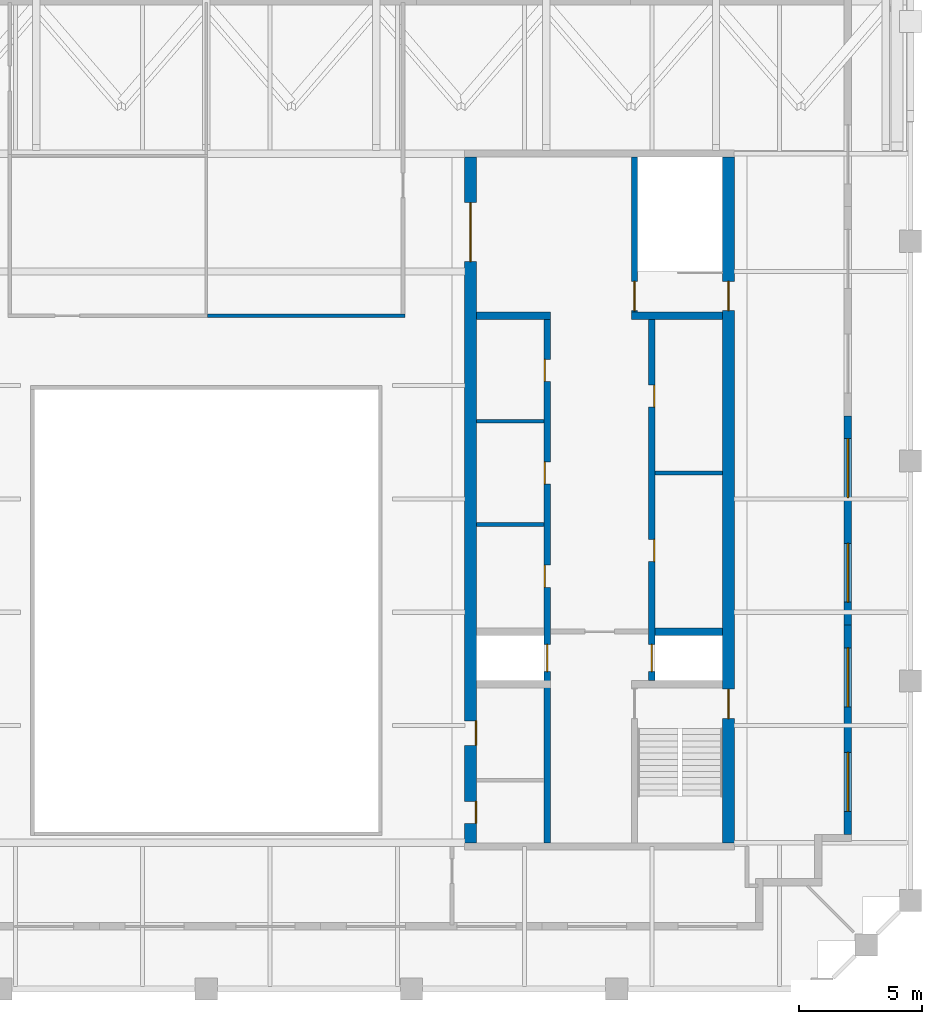
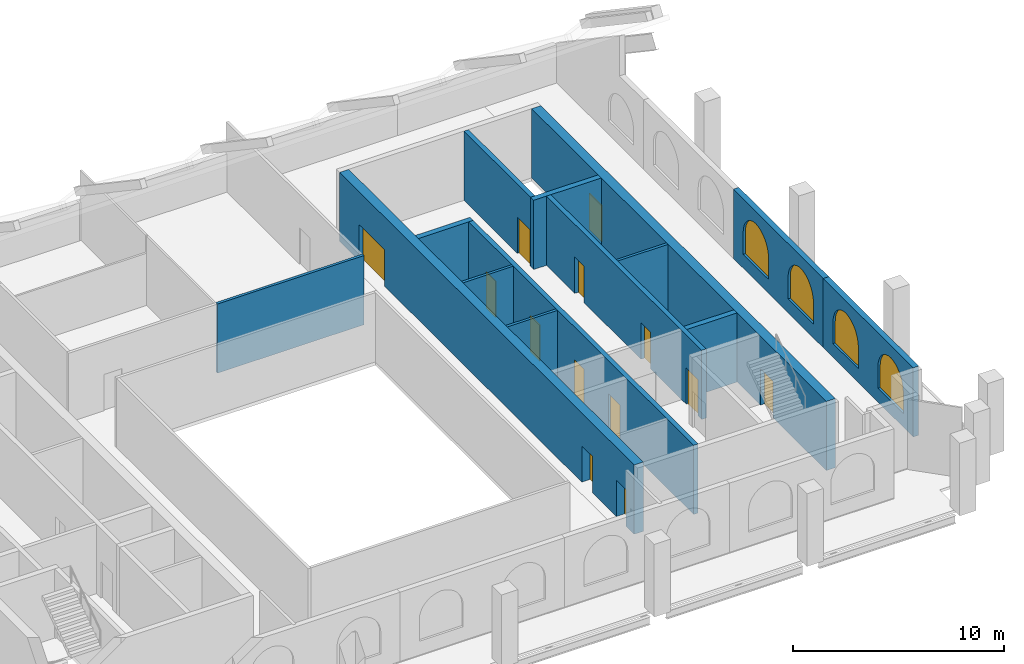
# One storey, part 5 of 7: 14 walls, 13 doors, 4 windows, 17 openings.
"""IFC4 building model written with IfcOpenShell, lengths in metres."""

from ifc_helpers import new_model, si_unit, direction, frame, frame_2d, origin, place, context, subcontext, project, spatial, polyline, rectangle, outline, extrude, material, layer, layer_set, type_object, element, fill, save


model = new_model("IFC4")

# Units and contexts
model_context = context("Model", 3, precision=1e-05, world=origin(), true_north=direction((0.0, 1.0)))
body_context = subcontext(model_context, "Body", "Model", "MODEL_VIEW")
ifc_project = project(units=[si_unit("LENGTHUNIT", "METRE"), si_unit("AREAUNIT", "SQUARE_METRE"), si_unit("VOLUMEUNIT", "CUBIC_METRE"), si_unit("PLANEANGLEUNIT", "RADIAN"), si_unit("MASSUNIT", "GRAM", prefix="KILO")], contexts=[model_context])

# Site, building, storey
site_placement = place(None, origin())
site = spatial("IfcSite", under=ifc_project, at=site_placement, CompositionType="ELEMENT")
building_placement = place(site_placement, origin())
building = spatial("IfcBuilding", under=site, at=building_placement, Name="Ogive Exchange Tower", CompositionType="ELEMENT")
storey_placement = place(building_placement, frame((0.0, 0.0, 385.800048828125)))
storey = spatial("IfcBuildingStorey", under=building, at=storey_placement, Name="C05", CompositionType="ELEMENT", Elevation=385.800048828125)

# Walls
ifc_material_1 = material(Name="Gypsum board partition")
ifc_layer_1 = layer(ifc_material_1, 0.14990234375)
ifc_layer_set_1 = layer_set([ifc_layer_1], Name="Core room partition 150 gypsum")
wall_type_1 = type_object("IfcWallType", Name="Core room partition 150 gypsum", PredefinedType="PARTITIONING", material=ifc_layer_set_1)
for number, where, z_axis, x_axis, name in (
    (1, (18.25, 12.60009765625, 0.0), (0.0, 0.0, 1.0), (1.0, 0.0, 0.0), "E row A bay partition 1-1"),
    (2, (11.0, 10.5, 0.0), (0.0, 0.0, 1.0), (1.0, 0.0, 0.0), "E row B bay partition 1-1"),
    (3, (11.0, 14.699951171875, 0.0), (0.0, 0.0, 1.0), (1.0, 0.0, 0.0), "E row B bay partition 1-2"),
):
    element("IfcWall", number, at=place(storey_placement, frame(where, z_axis=z_axis, x_axis=x_axis)), inside=storey, type_object=wall_type_1, Name=name, PredefinedType="PARTITIONING", context=body_context, shape_type="SweptSolid", body=[
        extrude(rectangle(XDim=2.75, YDim=0.14990234375, at=frame_2d((1.375, 0.0))), origin(), (0.0, 0.0, 1.0), 4.0),
    ])
ifc_layer_2 = layer(ifc_material_1, 0.300048828125)
ifc_layer_set_2 = layer_set([ifc_layer_2], Name="Core room partition 300 gypsum")
wall_type_2 = type_object("IfcWallType", Name="Core room partition 300 gypsum", PredefinedType="PARTITIONING", material=ifc_layer_set_2)
wall_1_placement = place(storey_placement, frame((11.0, 19.0, 0.0), z_axis=(0.0, 0.0, 1.0), x_axis=(1.0, 0.0, 0.0)))
element("IfcWall", 4, at=wall_1_placement, inside=storey, type_object=wall_type_2, Name="E row B room end wall 7", PredefinedType="PARTITIONING", context=body_context, shape_type="SweptSolid", body=[
    extrude(rectangle(XDim=3.0, YDim=0.300048828125, at=frame_2d((1.5, 0.0))), origin(), (0.0, 0.0, 1.0), 4.0),
])
ifc_material_2 = material(Name="Fire partition EI 60 150")
ifc_layer_3 = layer(ifc_material_2, 0.14990234375)
ifc_layer_set_3 = layer_set([ifc_layer_3], Name="Fire partition EI 60 150")
wall_type_3 = type_object("IfcWallType", Name="Fire partition EI 60 150", PredefinedType="PARTITIONING", material=ifc_layer_set_3)
wall_2_placement = place(storey_placement, frame((0.050048828125, 19.0, 0.0), z_axis=(0.0, 0.0, 1.0), x_axis=(1.0, 0.0, 0.0)))
element("IfcWall", 5, at=wall_2_placement, inside=storey, type_object=wall_type_3, Name="C05-PWL-007", PredefinedType="PARTITIONING", context=body_context, shape_type="SweptSolid", body=[
    extrude(rectangle(XDim=8.02490234375, YDim=0.14990234375, at=frame_2d((4.012451171875, 0.0))), origin(), (0.0, 0.0, 1.0), 4.0),
])

# Wall, opening, door
ifc_material_3 = material(Name="Concrete C70/85", Category="concrete")
ifc_layer_4 = layer(ifc_material_3, 0.25)
ifc_layer_set_4 = layer_set([ifc_layer_4], Name="RC core wall 250 C70/85")
wall_type_4 = type_object("IfcWallType", Name="RC core wall 250 C70/85", PredefinedType="SHEAR", material=ifc_layer_set_4)
wall_3_placement = place(storey_placement, frame((17.425048828125, 19.14990234375, 0.0), z_axis=(0.0, 0.0, 1.0), x_axis=(0.0, 1.0, 0.0)))
wall_3 = element("IfcWall", 6, at=wall_3_placement, inside=storey, type_object=wall_type_4, Name="E stair N front wall", PredefinedType="SHEAR", context=body_context, shape_type="SweptSolid", body=[
    extrude(rectangle(XDim=6.300048828125, YDim=0.25, at=frame_2d((3.14990234375, 0.0))), origin(), (0.0, 0.0, 1.0), 4.0),
])
opening_1_placement = place(wall_3_placement, frame((0.050048828125, 0.0, 0.0)))
opening_1 = element("IfcOpeningElement", 7, at=opening_1_placement, cuts=wall_3, Name="Opening C05-C27", PredefinedType="OPENING", context=body_context, shape_type="SweptSolid", body=[
    extrude(rectangle(XDim=1.199951171875, YDim=2.10009765625, at=frame_2d((0.60009765625, 1.050048828125))), frame((0.0, 0.135009765625, 0.0), z_axis=(0.0, -1.0, 0.0), x_axis=(1.0, 0.0, 0.0)), (0.0, 0.0, 1.0), 0.27001953125),
])
ifc_material_4 = material(Name="Steel fire door", Category="steel")
door_type_1 = type_object("IfcDoorType", Name="Stair door FD90 1200 x 2100", OperationType="NOTDEFINED", PredefinedType="DOOR", material=ifc_material_4)
door_1_placement = place(opening_1_placement, frame((1.199951171875, 0.0, 0.0), z_axis=(0.0, 0.0, 1.0), x_axis=(-1.0, 0.0, 0.0)))
door_1 = element("IfcDoor", 8, at=door_1_placement, inside=storey, type_object=door_type_1, Name="Stair door", ObjectType="CD5", OperationType="SINGLE_SWING_LEFT", OverallHeight=2.10009765625, OverallWidth=1.199951171875, PredefinedType="DOOR", context=body_context, shape_type="SweptSolid", body=[
    extrude(rectangle(XDim=1.199951171875, YDim=2.10009765625, at=frame_2d((0.60009765625, 1.050048828125))), frame((0.0, 0.02490234375, 0.0), z_axis=(0.0, -1.0, 0.0), x_axis=(1.0, 0.0, 0.0)), (0.0, 0.0, 1.0), 0.050048828125),
])
fill(opening_1, door_1)

# Wall, openings, doors
wall_4_placement = place(storey_placement, frame((18.125, 4.14990234375, 0.0), z_axis=(0.0, 0.0, 1.0), x_axis=(0.0, 1.0, 0.0)))
wall_4 = element("IfcWall", 9, at=wall_4_placement, inside=storey, type_object=wall_type_4, Name="E row A front wall", PredefinedType="SHEAR", context=body_context, shape_type="SweptSolid", body=[
    extrude(rectangle(XDim=14.7001953125, YDim=0.25, at=frame_2d((7.35009765625, 0.0))), origin(), (0.0, 0.0, 1.0), 4.0),
])
opening_2_placement = place(wall_4_placement, frame((4.846435546875, 0.0, 0.0)))
opening_2 = element("IfcOpeningElement", 10, at=opening_2_placement, cuts=wall_4, Name="Opening C05-C16", PredefinedType="OPENING", context=body_context, shape_type="SweptSolid", body=[
    extrude(rectangle(XDim=0.89990234375, YDim=2.10009765625, at=frame_2d((0.449951171875, 1.050048828125))), frame((0.0, 0.135009765625, 0.0), z_axis=(0.0, -1.0, 0.0), x_axis=(1.0, 0.0, 0.0)), (0.0, 0.0, 1.0), 0.27001953125),
])
opening_3_placement = place(wall_4_placement, frame((11.125, 0.0, 0.0)))
opening_3 = element("IfcOpeningElement", 11, at=opening_3_placement, cuts=wall_4, Name="Opening C05-C17", PredefinedType="OPENING", context=body_context, shape_type="SweptSolid", body=[
    extrude(rectangle(XDim=0.89990234375, YDim=2.10009765625, at=frame_2d((0.449951171875, 1.050048828125))), frame((0.0, 0.135009765625, 0.0), z_axis=(0.0, -1.0, 0.0), x_axis=(1.0, 0.0, 0.0)), (0.0, 0.0, 1.0), 0.27001953125),
])
opening_4_placement = place(wall_4_placement, frame((0.371337890625, 0.0, 0.0)))
opening_4 = element("IfcOpeningElement", 12, at=opening_4_placement, cuts=wall_4, Name="Opening C05-C18", PredefinedType="OPENING", context=body_context, shape_type="SweptSolid", body=[
    extrude(rectangle(XDim=1.10009765625, YDim=2.10009765625, at=frame_2d((0.550048828125, 1.050048828125))), frame((0.0, 0.135009765625, 0.0), z_axis=(0.0, -1.0, 0.0), x_axis=(1.0, 0.0, 0.0)), (0.0, 0.0, 1.0), 0.27001953125),
])
ifc_material_5 = material(Name="Timber fire door", Category="wood")
door_type_2 = type_object("IfcDoorType", Name="Core room door FD30S 900 x 2100", OperationType="NOTDEFINED", PredefinedType="DOOR", material=ifc_material_5)
door_2_placement = place(opening_2_placement, frame((0.89990234375, -0.2001953125, 0.0), z_axis=(0.0, 0.0, 1.0), x_axis=(-1.0, 0.0, 0.0)))
door_2 = element("IfcDoor", 13, at=door_2_placement, inside=storey, type_object=door_type_2, Name="Core room door", ObjectType="CD6", OperationType="SINGLE_SWING_LEFT", OverallHeight=2.10009765625, OverallWidth=0.89990234375, PredefinedType="DOOR", context=body_context, shape_type="SweptSolid", body=[
    extrude(rectangle(XDim=0.89990234375, YDim=2.10009765625, at=frame_2d((0.449951171875, 1.050048828125))), frame((0.0, -0.0751953125, 0.0), z_axis=(0.0, -1.0, 0.0), x_axis=(1.0, 0.0, 0.0)), (0.0, 0.0, 1.0), 0.050048828125),
])
fill(opening_2, door_2)
ifc_material_6 = material(Name="Stainless steel", Category="steel")
door_type_3 = type_object("IfcDoorType", Name="Lift landing door FD90 1100 x 2100", OperationType="SLIDING_TO_LEFT", PredefinedType="DOOR", material=ifc_material_6)
door_3_placement = place(opening_4_placement, origin())
door_3 = element("IfcDoor", 14, at=door_3_placement, inside=storey, type_object=door_type_3, Name="Lift landing door FF2", ObjectType="LD", OperationType="SLIDING_TO_LEFT", OverallHeight=2.10009765625, OverallWidth=1.10009765625, PredefinedType="DOOR", context=body_context, shape_type="SweptSolid", body=[
    extrude(rectangle(XDim=1.10009765625, YDim=2.10009765625, at=frame_2d((0.550048828125, 1.050048828125))), frame((0.0, 0.02490234375, 0.0), z_axis=(0.0, -1.0, 0.0), x_axis=(1.0, 0.0, 0.0)), (0.0, 0.0, 1.0), 0.050048828125),
])
fill(opening_4, door_3)
door_type_4 = type_object("IfcDoorType", Name="Riser door FD60 900 x 2100", OperationType="NOTDEFINED", PredefinedType="DOOR", material=ifc_material_4)
door_4_placement = place(opening_3_placement, frame((0.89990234375, -0.2001953125, 0.0), z_axis=(0.0, 0.0, 1.0), x_axis=(-1.0, 0.0, 0.0)))
door_4 = element("IfcDoor", 15, at=door_4_placement, inside=storey, type_object=door_type_4, Name="Riser door", ObjectType="CD2", OperationType="SINGLE_SWING_LEFT", OverallHeight=2.10009765625, OverallWidth=0.89990234375, PredefinedType="DOOR", context=body_context, shape_type="SweptSolid", body=[
    extrude(rectangle(XDim=0.89990234375, YDim=2.10009765625, at=frame_2d((0.449951171875, 1.050048828125))), frame((0.0, -0.0751953125, 0.0), z_axis=(0.0, -1.0, 0.0), x_axis=(1.0, 0.0, 0.0)), (0.0, 0.0, 1.0), 0.050048828125),
])
fill(opening_3, door_4)

wall_5_placement = place(storey_placement, frame((13.875, -2.449951171875, 0.0), z_axis=(0.0, 0.0, 1.0), x_axis=(0.0, 1.0, 0.0)))
wall_5 = element("IfcWall", 16, at=wall_5_placement, inside=storey, type_object=wall_type_4, Name="E row B front wall", PredefinedType="SHEAR", context=body_context, shape_type="SweptSolid", body=[
    extrude(rectangle(XDim=21.300048828125, YDim=0.25, at=frame_2d((10.64990234375, 0.0))), origin(), (0.0, 0.0, 1.0), 4.0),
])
opening_5_placement = place(wall_5_placement, frame((10.396484375, 0.0, 0.0)))
opening_5 = element("IfcOpeningElement", 17, at=opening_5_placement, cuts=wall_5, Name="Opening C05-C19", PredefinedType="OPENING", context=body_context, shape_type="SweptSolid", body=[
    extrude(rectangle(XDim=0.89990234375, YDim=2.10009765625, at=frame_2d((0.449951171875, 1.050048828125))), frame((0.0, 0.135009765625, 0.0), z_axis=(0.0, -1.0, 0.0), x_axis=(1.0, 0.0, 0.0)), (0.0, 0.0, 1.0), 0.27001953125),
])
opening_6_placement = place(wall_5_placement, frame((14.60009765625, 0.0, 0.0)))
opening_6 = element("IfcOpeningElement", 18, at=opening_6_placement, cuts=wall_5, Name="Opening C05-C20", PredefinedType="OPENING", context=body_context, shape_type="SweptSolid", body=[
    extrude(rectangle(XDim=0.89990234375, YDim=2.10009765625, at=frame_2d((0.449951171875, 1.050048828125))), frame((0.0, 0.135009765625, 0.0), z_axis=(0.0, -1.0, 0.0), x_axis=(1.0, 0.0, 0.0)), (0.0, 0.0, 1.0), 0.27001953125),
])
opening_7_placement = place(wall_5_placement, frame((18.77490234375, 0.0, 0.0)))
opening_7 = element("IfcOpeningElement", 19, at=opening_7_placement, cuts=wall_5, Name="Opening C05-C21", PredefinedType="OPENING", context=body_context, shape_type="SweptSolid", body=[
    extrude(rectangle(XDim=0.89990234375, YDim=2.10009765625, at=frame_2d((0.449951171875, 1.050048828125))), frame((0.0, 0.135009765625, 0.0), z_axis=(0.0, -1.0, 0.0), x_axis=(1.0, 0.0, 0.0)), (0.0, 0.0, 1.0), 0.27001953125),
])
opening_8_placement = place(wall_5_placement, frame((6.971435546875, 0.0, 0.0)))
opening_8 = element("IfcOpeningElement", 20, at=opening_8_placement, cuts=wall_5, Name="Opening C05-C22", PredefinedType="OPENING", context=body_context, shape_type="SweptSolid", body=[
    extrude(rectangle(XDim=1.10009765625, YDim=2.10009765625, at=frame_2d((0.550048828125, 1.050048828125))), frame((0.0, 0.135009765625, 0.0), z_axis=(0.0, -1.0, 0.0), x_axis=(1.0, 0.0, 0.0)), (0.0, 0.0, 1.0), 0.27001953125),
])
door_5_placement = place(opening_7_placement, origin())
door_5 = element("IfcDoor", 21, at=door_5_placement, inside=storey, type_object=door_type_2, Name="Core room door", ObjectType="CD6", OperationType="SINGLE_SWING_RIGHT", OverallHeight=2.10009765625, OverallWidth=0.89990234375, PredefinedType="DOOR", context=body_context, shape_type="SweptSolid", body=[
    extrude(rectangle(XDim=0.89990234375, YDim=2.10009765625, at=frame_2d((0.449951171875, 1.050048828125))), frame((0.0, 0.125, 0.0), z_axis=(0.0, -1.0, 0.0), x_axis=(1.0, 0.0, 0.0)), (0.0, 0.0, 1.0), 0.050048828125),
])
fill(opening_7, door_5)
door_6_placement = place(opening_8_placement, origin())
door_6 = element("IfcDoor", 22, at=door_6_placement, inside=storey, type_object=door_type_3, Name="Lift landing door SV2", ObjectType="LD", OperationType="SLIDING_TO_LEFT", OverallHeight=2.10009765625, OverallWidth=1.10009765625, PredefinedType="DOOR", context=body_context, shape_type="SweptSolid", body=[
    extrude(rectangle(XDim=1.10009765625, YDim=2.10009765625, at=frame_2d((0.550048828125, 1.050048828125))), frame((0.0, 0.02490234375, 0.0), z_axis=(0.0, -1.0, 0.0), x_axis=(1.0, 0.0, 0.0)), (0.0, 0.0, 1.0), 0.050048828125),
])
fill(opening_8, door_6)
door_7_placement = place(opening_5_placement, origin())
door_7 = element("IfcDoor", 23, at=door_7_placement, inside=storey, type_object=door_type_4, Name="Riser door", ObjectType="CD2", OperationType="SINGLE_SWING_LEFT", OverallHeight=2.10009765625, OverallWidth=0.89990234375, PredefinedType="DOOR", context=body_context, shape_type="SweptSolid", body=[
    extrude(rectangle(XDim=0.89990234375, YDim=2.10009765625, at=frame_2d((0.449951171875, 1.050048828125))), frame((0.0, 0.125, 0.0), z_axis=(0.0, -1.0, 0.0), x_axis=(1.0, 0.0, 0.0)), (0.0, 0.0, 1.0), 0.050048828125),
])
fill(opening_5, door_7)
door_8_placement = place(opening_6_placement, origin())
door_8 = element("IfcDoor", 24, at=door_8_placement, inside=storey, type_object=door_type_4, Name="Riser door", ObjectType="CD2", OperationType="SINGLE_SWING_RIGHT", OverallHeight=2.10009765625, OverallWidth=0.89990234375, PredefinedType="DOOR", context=body_context, shape_type="SweptSolid", body=[
    extrude(rectangle(XDim=0.89990234375, YDim=2.10009765625, at=frame_2d((0.449951171875, 1.050048828125))), frame((0.0, 0.125, 0.0), z_axis=(0.0, -1.0, 0.0), x_axis=(1.0, 0.0, 0.0)), (0.0, 0.0, 1.0), 0.050048828125),
])
fill(opening_6, door_8)

# Walls
ifc_layer_5 = layer(ifc_material_3, 0.300048828125)
ifc_layer_set_5 = layer_set([ifc_layer_5], Name="RC core wall 300 C70/85")
wall_type_5 = type_object("IfcWallType", Name="RC core wall 300 C70/85", PredefinedType="SHEAR", material=ifc_layer_set_5)
wall_6_placement = place(storey_placement, frame((17.300048828125, 19.0, 0.0), z_axis=(0.0, 0.0, 1.0), x_axis=(1.0, 0.0, 0.0)))
element("IfcWall", 25, at=wall_6_placement, inside=storey, type_object=wall_type_5, Name="E stair N south wall", PredefinedType="SHEAR", context=body_context, shape_type="SweptSolid", body=[
    extrude(rectangle(XDim=3.699951171875, YDim=0.300048828125, at=frame_2d((1.85009765625, 0.0))), origin(), (0.0, 0.0, 1.0), 4.0),
])
wall_7_placement = place(storey_placement, frame((18.25, 6.142822265625, 0.0), z_axis=(0.0, 0.0, 1.0), x_axis=(1.0, 0.0, 0.0)))
element("IfcWall", 26, at=wall_7_placement, inside=storey, type_object=wall_type_5, Name="E row A divider 1", PredefinedType="SHEAR", context=body_context, shape_type="SweptSolid", body=[
    extrude(rectangle(XDim=2.75, YDim=0.300048828125, at=frame_2d((1.375, 0.0))), origin(), (0.0, 0.0, 1.0), 4.0),
])

# Wall, openings, doors
ifc_layer_6 = layer(ifc_material_3, 0.5)
ifc_layer_set_6 = layer_set([ifc_layer_6], Name="RC core wall 500 C70/85")
wall_type_6 = type_object("IfcWallType", Name="RC core wall 500 C70/85", PredefinedType="SHEAR", material=ifc_layer_set_6)
wall_8_placement = place(storey_placement, frame((21.25, -2.449951171875, 0.0), z_axis=(0.0, 0.0, 1.0), x_axis=(0.0, 1.0, 0.0)))
wall_8 = element("IfcWall", 27, at=wall_8_placement, inside=storey, type_object=wall_type_6, Name="E outer wall", PredefinedType="SHEAR", context=body_context, shape_type="SweptSolid", body=[
    extrude(rectangle(XDim=27.89990234375, YDim=0.5, at=frame_2d((13.949951171875, 0.0))), origin(), (0.0, 0.0, 1.0), 4.0),
])
opening_9_placement = place(wall_8_placement, frame((5.050048828125, 0.0, 0.0)))
opening_9 = element("IfcOpeningElement", 28, at=opening_9_placement, cuts=wall_8, Name="Opening C05-C26", PredefinedType="OPENING", context=body_context, shape_type="SweptSolid", body=[
    extrude(rectangle(XDim=1.199951171875, YDim=2.10009765625, at=frame_2d((0.60009765625, 1.050048828125))), frame((0.0, 0.260009765625, 0.0), z_axis=(0.0, -1.0, 0.0), x_axis=(1.0, 0.0, 0.0)), (0.0, 0.0, 1.0), 0.52001953125),
])
opening_10_placement = place(wall_8_placement, frame((21.64990234375, 0.0, 0.0)))
opening_10 = element("IfcOpeningElement", 29, at=opening_10_placement, cuts=wall_8, Name="Opening C05-C28", PredefinedType="OPENING", context=body_context, shape_type="SweptSolid", body=[
    extrude(rectangle(XDim=1.199951171875, YDim=2.10009765625, at=frame_2d((0.60009765625, 1.050048828125))), frame((0.0, 0.260009765625, 0.0), z_axis=(0.0, -1.0, 0.0), x_axis=(1.0, 0.0, 0.0)), (0.0, 0.0, 1.0), 0.52001953125),
])
door_9_placement = place(opening_9_placement, frame((1.199951171875, 0.0, 0.0), z_axis=(0.0, 0.0, 1.0), x_axis=(-1.0, 0.0, 0.0)))
door_9 = element("IfcDoor", 30, at=door_9_placement, inside=storey, type_object=door_type_1, Name="Stair door", ObjectType="CD5", OperationType="SINGLE_SWING_RIGHT", OverallHeight=2.10009765625, OverallWidth=1.199951171875, PredefinedType="DOOR", context=body_context, shape_type="SweptSolid", body=[
    extrude(rectangle(XDim=1.199951171875, YDim=2.10009765625, at=frame_2d((0.60009765625, 1.050048828125))), frame((0.0, 0.02490234375, 0.0), z_axis=(0.0, -1.0, 0.0), x_axis=(1.0, 0.0, 0.0)), (0.0, 0.0, 1.0), 0.050048828125),
])
fill(opening_9, door_9)
door_10_placement = place(opening_10_placement, frame((1.199951171875, 0.0, 0.0), z_axis=(0.0, 0.0, 1.0), x_axis=(-1.0, 0.0, 0.0)))
door_10 = element("IfcDoor", 31, at=door_10_placement, inside=storey, type_object=door_type_1, Name="Stair door", ObjectType="CD5", OperationType="SINGLE_SWING_LEFT", OverallHeight=2.10009765625, OverallWidth=1.199951171875, PredefinedType="DOOR", context=body_context, shape_type="SweptSolid", body=[
    extrude(rectangle(XDim=1.199951171875, YDim=2.10009765625, at=frame_2d((0.60009765625, 1.050048828125))), frame((0.0, 0.02490234375, 0.0), z_axis=(0.0, -1.0, 0.0), x_axis=(1.0, 0.0, 0.0)), (0.0, 0.0, 1.0), 0.050048828125),
])
fill(opening_10, door_10)

wall_9_placement = place(storey_placement, frame((10.75, -2.449951171875, 0.0), z_axis=(0.0, 0.0, 1.0), x_axis=(0.0, 1.0, 0.0)))
wall_9 = element("IfcWall", 32, at=wall_9_placement, inside=storey, type_object=wall_type_6, Name="E inner wall", PredefinedType="SHEAR", context=body_context, shape_type="SweptSolid", body=[
    extrude(rectangle(XDim=27.89990234375, YDim=0.5, at=frame_2d((13.949951171875, 0.0))), origin(), (0.0, 0.0, 1.0), 4.0),
])
opening_11_placement = place(wall_9_placement, frame((23.64990234375, 0.0, 0.0)))
opening_11 = element("IfcOpeningElement", 33, at=opening_11_placement, cuts=wall_9, Name="Opening C05-C24", PredefinedType="OPENING", context=body_context, shape_type="SweptSolid", body=[
    extrude(rectangle(XDim=2.39990234375, YDim=2.10009765625, at=frame_2d((1.199951171875, 1.050048828125))), frame((0.0, 0.260009765625, 0.0), z_axis=(0.0, -1.0, 0.0), x_axis=(1.0, 0.0, 0.0)), (0.0, 0.0, 1.0), 0.52001953125),
])
opening_12_placement = place(wall_9_placement, frame((0.78759765625, 0.0, 0.0)))
opening_12 = element("IfcOpeningElement", 34, at=opening_12_placement, cuts=wall_9, Name="Opening C05-C29", PredefinedType="OPENING", context=body_context, shape_type="SweptSolid", body=[
    extrude(rectangle(XDim=0.89990234375, YDim=2.10009765625, at=frame_2d((0.449951171875, 1.050048828125))), frame((0.0, 0.260009765625, 0.0), z_axis=(0.0, -1.0, 0.0), x_axis=(1.0, 0.0, 0.0)), (0.0, 0.0, 1.0), 0.52001953125),
])
opening_13_placement = place(wall_9_placement, frame((3.96240234375, 0.0, 0.0)))
opening_13 = element("IfcOpeningElement", 35, at=opening_13_placement, cuts=wall_9, Name="Opening C05-C30", PredefinedType="OPENING", context=body_context, shape_type="SweptSolid", body=[
    extrude(rectangle(XDim=1.0, YDim=2.10009765625, at=frame_2d((0.5, 1.050048828125))), frame((0.0, 0.260009765625, 0.0), z_axis=(0.0, -1.0, 0.0), x_axis=(1.0, 0.0, 0.0)), (0.0, 0.0, 1.0), 0.52001953125),
])
door_type_5 = type_object("IfcDoorType", Name="Accessible WC door FD30S 1000 x 2100", OperationType="NOTDEFINED", PredefinedType="DOOR", material=ifc_material_5)
door_11_placement = place(opening_13_placement, origin())
door_11 = element("IfcDoor", 36, at=door_11_placement, inside=storey, type_object=door_type_5, Name="Accessible WC door", ObjectType="CD7", OperationType="SINGLE_SWING_LEFT", OverallHeight=2.10009765625, OverallWidth=1.0, PredefinedType="DOOR", context=body_context, shape_type="SweptSolid", body=[
    extrude(rectangle(XDim=1.0, YDim=2.10009765625, at=frame_2d((0.5, 1.050048828125))), frame((0.0, -0.2001953125, 0.0), z_axis=(0.0, -1.0, 0.0), x_axis=(1.0, 0.0, 0.0)), (0.0, 0.0, 1.0), 0.050048828125),
])
fill(opening_13, door_11)
door_12_placement = place(opening_12_placement, origin())
door_12 = element("IfcDoor", 37, at=door_12_placement, inside=storey, type_object=door_type_2, Name="Core room door", ObjectType="CD6", OperationType="SINGLE_SWING_RIGHT", OverallHeight=2.10009765625, OverallWidth=0.89990234375, PredefinedType="DOOR", context=body_context, shape_type="SweptSolid", body=[
    extrude(rectangle(XDim=0.89990234375, YDim=2.10009765625, at=frame_2d((0.449951171875, 1.050048828125))), frame((0.0, -0.2001953125, 0.0), z_axis=(0.0, -1.0, 0.0), x_axis=(1.0, 0.0, 0.0)), (0.0, 0.0, 1.0), 0.050048828125),
])
fill(opening_12, door_12)
ifc_material_7 = material(Name="Glazed steel fire door", Category="steel")
door_type_6 = type_object("IfcDoorType", Name="Lift lobby double door FD60 2400 x 2100", OperationType="DOUBLE_DOOR_SINGLE_SWING", PredefinedType="DOOR", material=ifc_material_7)
door_13_placement = place(opening_11_placement, origin())
door_13 = element("IfcDoor", 38, at=door_13_placement, inside=storey, type_object=door_type_6, Name="Lift lobby double door", ObjectType="CD4", OperationType="DOUBLE_DOOR_SINGLE_SWING", OverallHeight=2.10009765625, OverallWidth=2.39990234375, PredefinedType="DOOR", context=body_context, shape_type="SweptSolid", body=[
    extrude(rectangle(XDim=2.39990234375, YDim=2.10009765625, at=frame_2d((1.199951171875, 1.050048828125))), frame((0.0, 0.02490234375, 0.0), z_axis=(0.0, -1.0, 0.0), x_axis=(1.0, 0.0, 0.0)), (0.0, 0.0, 1.0), 0.050048828125),
])
fill(opening_11, door_13)

# Wall, openings, windows
ifc_material_8 = material(Name="Precast concrete C40/50", Category="concrete")
ifc_layer_7 = layer(ifc_material_8, 0.300048828125)
ifc_layer_set_7 = layer_set([ifc_layer_7], Name="Zinc-clad crown wall 300")
wall_type_7 = type_object("IfcWallType", Name="Zinc-clad crown wall 300", PredefinedType="STANDARD", material=ifc_layer_set_7)
wall_10_placement = place(storey_placement, frame((26.10009765625, -2.10009765625, 0.0), z_axis=(0.0, 0.0, 1.0), x_axis=(0.0, 1.0, 0.0)))
wall_10 = element("IfcWall", 39, at=wall_10_placement, inside=storey, type_object=wall_type_7, Name="Crown wall 13", PredefinedType="STANDARD", context=body_context, shape_type="SweptSolid", body=[
    extrude(rectangle(XDim=8.511962890625, YDim=0.300048828125, at=frame_2d((4.255859375, 0.0))), origin(), (0.0, 0.0, 1.0), 4.0),
])
opening_14_placement = place(wall_10_placement, frame((0.927978515625, 0.0, 0.800048828125)))
opening_14 = element("IfcOpeningElement", 40, at=opening_14_placement, cuts=wall_10, Name="Opening WC25", PredefinedType="OPENING", context=body_context, shape_type="SweptSolid", body=[
    extrude(outline(polyline([(0.0, 0.0), (2.39990234375, 0.0), (2.39990234375, 1.25), (2.377197265625, 1.48779296875), (2.3095703125, 1.717041015625), (2.19970703125, 1.928955078125), (2.05126953125, 2.116455078125), (1.8701171875, 2.272216796875), (1.662841796875, 2.390625), (1.4365234375, 2.467529296875), (1.199951171875, 2.5), (0.96337890625, 2.467529296875), (0.737060546875, 2.390625), (0.52978515625, 2.272216796875), (0.3486328125, 2.116455078125), (0.2001953125, 1.928955078125), (0.09033203125, 1.717041015625), (0.022705078125, 1.48779296875), (0.0, 1.25), (0.0, 0.0)])), frame((0.0, 0.159912109375, 0.0), z_axis=(0.0, -1.0, 0.0), x_axis=(1.0, 0.0, 0.0)), (0.0, 0.0, 1.0), 0.320068359375),
])
opening_15_placement = place(wall_10_placement, frame((5.183837890625, 0.0, 0.800048828125)))
opening_15 = element("IfcOpeningElement", 41, at=opening_15_placement, cuts=wall_10, Name="Opening WC25", PredefinedType="OPENING", context=body_context, shape_type="SweptSolid", body=[
    extrude(outline(polyline([(0.0, 0.0), (2.39990234375, 0.0), (2.39990234375, 1.25), (2.377197265625, 1.48779296875), (2.3095703125, 1.717041015625), (2.19970703125, 1.928955078125), (2.05126953125, 2.116455078125), (1.8701171875, 2.272216796875), (1.662841796875, 2.390625), (1.4365234375, 2.467529296875), (1.199951171875, 2.5), (0.96337890625, 2.467529296875), (0.737060546875, 2.390625), (0.52978515625, 2.272216796875), (0.3486328125, 2.116455078125), (0.2001953125, 1.928955078125), (0.09033203125, 1.717041015625), (0.022705078125, 1.48779296875), (0.0, 1.25), (0.0, 0.0)])), frame((0.0, 0.159912109375, 0.0), z_axis=(0.0, -1.0, 0.0), x_axis=(1.0, 0.0, 0.0)), (0.0, 0.0, 1.0), 0.320068359375),
])
ifc_material_9 = material(Name="Clear glass in bronze frame", Category="glass")
window_type = type_object("IfcWindowType", Name="Crown lancet window 2400 x 2500", PartitioningType="DOUBLE_PANEL_VERTICAL", PredefinedType="WINDOW", material=ifc_material_9)
window_1_placement = place(opening_14_placement, origin())
window_1 = element("IfcWindow", 42, at=window_1_placement, inside=storey, type_object=window_type, Name="Crown lancet 13.1", OverallHeight=2.5, OverallWidth=2.39990234375, PartitioningType="DOUBLE_PANEL_VERTICAL", PredefinedType="WINDOW", context=body_context, shape_type="SweptSolid", body=[
    extrude(outline(polyline([(0.0, 0.0), (2.39990234375, 0.0), (2.39990234375, 1.25), (2.377197265625, 1.48779296875), (2.3095703125, 1.717041015625), (2.19970703125, 1.928955078125), (2.05126953125, 2.116455078125), (1.8701171875, 2.272216796875), (1.662841796875, 2.390625), (1.4365234375, 2.467529296875), (1.199951171875, 2.5), (0.96337890625, 2.467529296875), (0.737060546875, 2.390625), (0.52978515625, 2.272216796875), (0.3486328125, 2.116455078125), (0.2001953125, 1.928955078125), (0.09033203125, 1.717041015625), (0.022705078125, 1.48779296875), (0.0, 1.25), (0.0, 0.0)])), frame((0.0, 0.030029296875, 0.0), z_axis=(0.0, -1.0, 0.0), x_axis=(1.0, 0.0, 0.0)), (0.0, 0.0, 1.0), 0.06005859375),
])
fill(opening_14, window_1)
window_2_placement = place(opening_15_placement, origin())
window_2 = element("IfcWindow", 43, at=window_2_placement, inside=storey, type_object=window_type, Name="Crown lancet 13.2", OverallHeight=2.5, OverallWidth=2.39990234375, PartitioningType="DOUBLE_PANEL_VERTICAL", PredefinedType="WINDOW", context=body_context, shape_type="SweptSolid", body=[
    extrude(outline(polyline([(0.0, 0.0), (2.39990234375, 0.0), (2.39990234375, 1.25), (2.377197265625, 1.48779296875), (2.3095703125, 1.717041015625), (2.19970703125, 1.928955078125), (2.05126953125, 2.116455078125), (1.8701171875, 2.272216796875), (1.662841796875, 2.390625), (1.4365234375, 2.467529296875), (1.199951171875, 2.5), (0.96337890625, 2.467529296875), (0.737060546875, 2.390625), (0.52978515625, 2.272216796875), (0.3486328125, 2.116455078125), (0.2001953125, 1.928955078125), (0.09033203125, 1.717041015625), (0.022705078125, 1.48779296875), (0.0, 1.25), (0.0, 0.0)])), frame((0.0, 0.030029296875, 0.0), z_axis=(0.0, -1.0, 0.0), x_axis=(1.0, 0.0, 0.0)), (0.0, 0.0, 1.0), 0.06005859375),
])
fill(opening_15, window_2)

wall_11_placement = place(storey_placement, frame((26.10009765625, 6.411865234375, 0.0), z_axis=(0.0, 0.0, 1.0), x_axis=(0.0, 1.0, 0.0)))
wall_11 = element("IfcWall", 44, at=wall_11_placement, inside=storey, type_object=wall_type_7, Name="Crown wall 14", PredefinedType="STANDARD", context=body_context, shape_type="SweptSolid", body=[
    extrude(rectangle(XDim=8.511962890625, YDim=0.300048828125, at=frame_2d((4.255859375, 0.0))), origin(), (0.0, 0.0, 1.0), 4.0),
])
opening_16_placement = place(wall_11_placement, frame((0.927978515625, 0.0, 0.800048828125)))
opening_16 = element("IfcOpeningElement", 45, at=opening_16_placement, cuts=wall_11, Name="Opening WC25", PredefinedType="OPENING", context=body_context, shape_type="SweptSolid", body=[
    extrude(outline(polyline([(0.0, 0.0), (2.39990234375, 0.0), (2.39990234375, 1.25), (2.377197265625, 1.48779296875), (2.3095703125, 1.717041015625), (2.19970703125, 1.928955078125), (2.05126953125, 2.116455078125), (1.8701171875, 2.272216796875), (1.662841796875, 2.390625), (1.4365234375, 2.467529296875), (1.199951171875, 2.5), (0.96337890625, 2.467529296875), (0.737060546875, 2.390625), (0.52978515625, 2.272216796875), (0.3486328125, 2.116455078125), (0.2001953125, 1.928955078125), (0.09033203125, 1.717041015625), (0.022705078125, 1.48779296875), (0.0, 1.25), (0.0, 0.0)])), frame((0.0, 0.159912109375, 0.0), z_axis=(0.0, -1.0, 0.0), x_axis=(1.0, 0.0, 0.0)), (0.0, 0.0, 1.0), 0.320068359375),
])
opening_17_placement = place(wall_11_placement, frame((5.183837890625, 0.0, 0.800048828125)))
opening_17 = element("IfcOpeningElement", 46, at=opening_17_placement, cuts=wall_11, Name="Opening WC25", PredefinedType="OPENING", context=body_context, shape_type="SweptSolid", body=[
    extrude(outline(polyline([(0.0, 0.0), (2.39990234375, 0.0), (2.39990234375, 1.25), (2.377197265625, 1.48779296875), (2.3095703125, 1.717041015625), (2.19970703125, 1.928955078125), (2.05126953125, 2.116455078125), (1.8701171875, 2.272216796875), (1.662841796875, 2.390625), (1.4365234375, 2.467529296875), (1.199951171875, 2.5), (0.96337890625, 2.467529296875), (0.737060546875, 2.390625), (0.52978515625, 2.272216796875), (0.3486328125, 2.116455078125), (0.2001953125, 1.928955078125), (0.09033203125, 1.717041015625), (0.022705078125, 1.48779296875), (0.0, 1.25), (0.0, 0.0)])), frame((0.0, 0.159912109375, 0.0), z_axis=(0.0, -1.0, 0.0), x_axis=(1.0, 0.0, 0.0)), (0.0, 0.0, 1.0), 0.320068359375),
])
window_3_placement = place(opening_16_placement, origin())
window_3 = element("IfcWindow", 47, at=window_3_placement, inside=storey, type_object=window_type, Name="Crown lancet 14.1", OverallHeight=2.5, OverallWidth=2.39990234375, PartitioningType="DOUBLE_PANEL_VERTICAL", PredefinedType="WINDOW", context=body_context, shape_type="SweptSolid", body=[
    extrude(outline(polyline([(0.0, 0.0), (2.39990234375, 0.0), (2.39990234375, 1.25), (2.377197265625, 1.48779296875), (2.3095703125, 1.717041015625), (2.19970703125, 1.928955078125), (2.05126953125, 2.116455078125), (1.8701171875, 2.272216796875), (1.662841796875, 2.390625), (1.4365234375, 2.467529296875), (1.199951171875, 2.5), (0.96337890625, 2.467529296875), (0.737060546875, 2.390625), (0.52978515625, 2.272216796875), (0.3486328125, 2.116455078125), (0.2001953125, 1.928955078125), (0.09033203125, 1.717041015625), (0.022705078125, 1.48779296875), (0.0, 1.25), (0.0, 0.0)])), frame((0.0, 0.030029296875, 0.0), z_axis=(0.0, -1.0, 0.0), x_axis=(1.0, 0.0, 0.0)), (0.0, 0.0, 1.0), 0.06005859375),
])
fill(opening_16, window_3)
window_4_placement = place(opening_17_placement, origin())
window_4 = element("IfcWindow", 48, at=window_4_placement, inside=storey, type_object=window_type, Name="Crown lancet 14.2", OverallHeight=2.5, OverallWidth=2.39990234375, PartitioningType="DOUBLE_PANEL_VERTICAL", PredefinedType="WINDOW", context=body_context, shape_type="SweptSolid", body=[
    extrude(outline(polyline([(0.0, 0.0), (2.39990234375, 0.0), (2.39990234375, 1.25), (2.377197265625, 1.48779296875), (2.3095703125, 1.717041015625), (2.19970703125, 1.928955078125), (2.05126953125, 2.116455078125), (1.8701171875, 2.272216796875), (1.662841796875, 2.390625), (1.4365234375, 2.467529296875), (1.199951171875, 2.5), (0.96337890625, 2.467529296875), (0.737060546875, 2.390625), (0.52978515625, 2.272216796875), (0.3486328125, 2.116455078125), (0.2001953125, 1.928955078125), (0.09033203125, 1.717041015625), (0.022705078125, 1.48779296875), (0.0, 1.25), (0.0, 0.0)])), frame((0.0, 0.030029296875, 0.0), z_axis=(0.0, -1.0, 0.0), x_axis=(1.0, 0.0, 0.0)), (0.0, 0.0, 1.0), 0.06005859375),
])
fill(opening_17, window_4)

save(model, "model.ifc")
